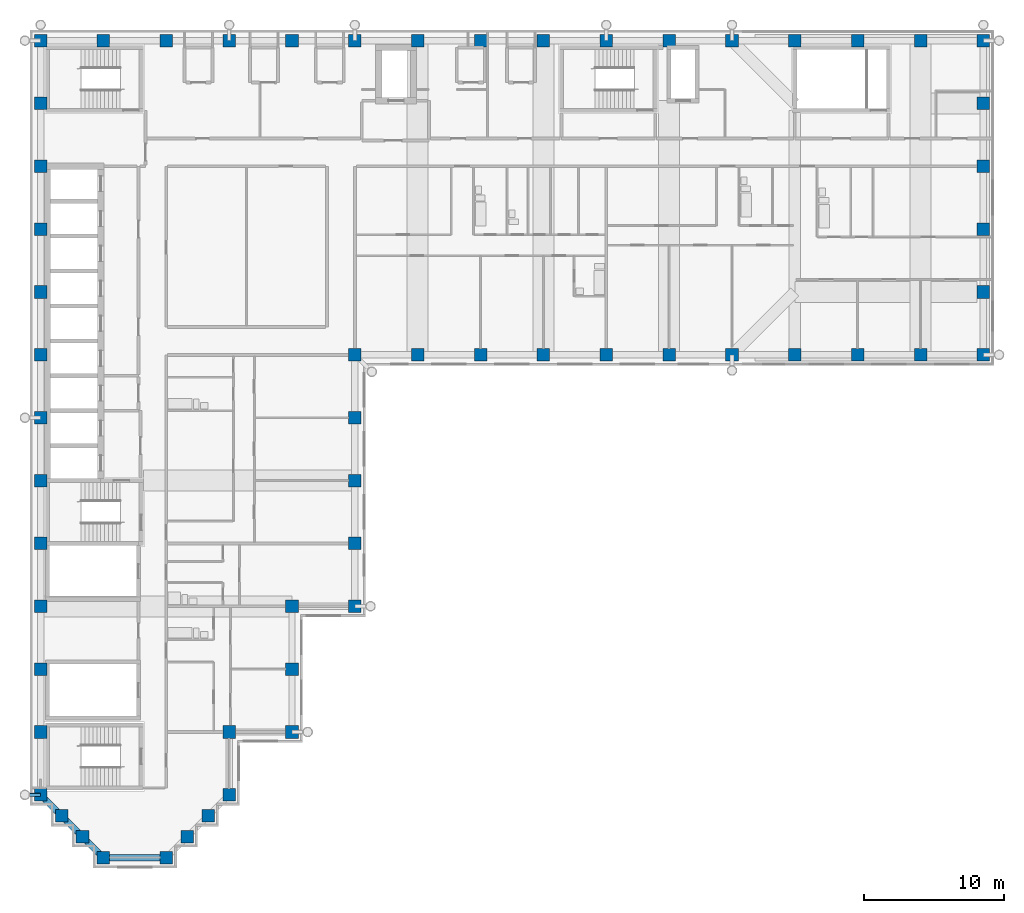
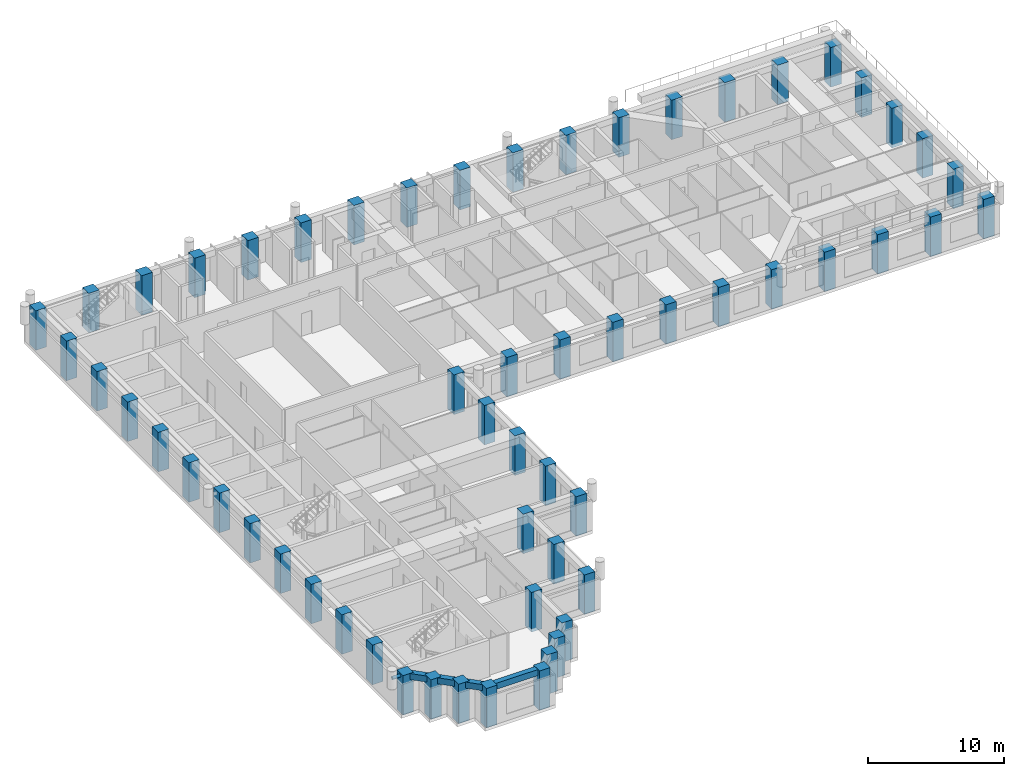
# One storey, part 1 of 14: 58 columns, 4 beams, 1 member.
"""IFC4 building model written with IfcOpenShell, lengths in metres."""

import ifcopenshell
import ifcopenshell.guid

model = None  # the IFC model being written
_history = None  # IfcOwnerHistory: only IFC2X3 demands one
_inside = {}  # id of a spatial element -> (the spatial element, [elements in it])
_under = {}  # id of a project, library or spatial element -> (it, [spatial elements below it])
_declared = {}  # id of a project -> (the project, [libraries it declares])
_typed = {}  # id of a type object -> (the type object, [elements of that type])
_made_of = {}  # id of a material, layer set ... -> (it, [elements and type objects made of it])


def new_model(schema):
    """Start an empty IFC model of exactly this schema.

    Asked for "IFC4X3", IfcOpenShell would pick the latest addendum, in which some entities
    have other attributes; the version numbers below select the first issue.
    IFC2X3 requires an IfcOwnerHistory on every rooted entity: one is made here for all.
    """
    global model, _history
    if schema == "IFC4X3":
        model = ifcopenshell.file(schema_version=(4, 3, 0, 0))
    else:
        model = ifcopenshell.file(schema=schema)
    _inside.clear()
    _under.clear()
    _declared.clear()
    _typed.clear()
    _made_of.clear()
    _history = None
    if model.schema == "IFC2X3":
        org = make("IfcOrganization", Name="unknown")
        user = make(
            "IfcPersonAndOrganization",
            ThePerson=make("IfcPerson", FamilyName="unknown"),
            TheOrganization=org,
        )
        app = make(
            "IfcApplication",
            ApplicationDeveloper=org,
            Version="unknown",
            ApplicationFullName="unknown",
            ApplicationIdentifier="unknown",
        )
        _history = make(
            "IfcOwnerHistory",
            OwningUser=user,
            OwningApplication=app,
            ChangeAction="ADDED",
            CreationDate=0,
        )
    return model


def make(cls, **values):
    """One entity of the class cls with the attributes given. An attribute that is None is left unset."""
    return model.create_entity(
        cls, **{name: value for name, value in values.items() if value is not None}
    )


def rooted(cls, **values):
    """An entity with a GlobalId (a new one), such as an element, a storey or a relation."""
    return make(cls, GlobalId=ifcopenshell.guid.new(), OwnerHistory=_history, **values)


def si_unit(unit_type, name, prefix=None):
    """IfcSIUnit, for example si_unit("LENGTHUNIT", "METRE", prefix="MILLI")."""
    return make("IfcSIUnit", UnitType=unit_type, Prefix=prefix, Name=name)


def assignment(units):
    """IfcUnitAssignment: the units of a project."""
    return None if units is None else make("IfcUnitAssignment", Units=units)


def point(xyz):
    """IfcCartesianPoint."""
    return None if xyz is None else make("IfcCartesianPoint", Coordinates=xyz)


def direction(xyz):
    """IfcDirection."""
    return None if xyz is None else make("IfcDirection", DirectionRatios=xyz)


def frame(location, z_axis=None, x_axis=None):
    """IfcAxis2Placement3D, a coordinate frame: its origin and axes. An axis left out is left unset."""
    return make(
        "IfcAxis2Placement3D",
        Location=point(location),
        Axis=direction(z_axis),
        RefDirection=direction(x_axis),
    )


def frame_2d(location, x_axis=None):
    """IfcAxis2Placement2D, a coordinate frame in the plane: its origin and x axis."""
    return make(
        "IfcAxis2Placement2D", Location=point(location), RefDirection=direction(x_axis)
    )


def origin():
    """The frame at (0, 0, 0) with its axes left unset."""
    return frame((0.0, 0.0, 0.0))


def origin_2d():
    """The frame at (0, 0) in the plane with its x axis left unset."""
    return frame_2d((0.0, 0.0))


def place(relative_to, where):
    """IfcLocalPlacement: puts the frame where relative to a parent placement (None: the world)."""
    return make(
        "IfcLocalPlacement", PlacementRelTo=relative_to, RelativePlacement=where
    )


def context(
    kind, dimensions, precision=None, world=None, true_north=None, identifier=None
):
    """IfcGeometricRepresentationContext, for example the 3D "Model" context."""
    return make(
        "IfcGeometricRepresentationContext",
        ContextIdentifier=identifier,
        ContextType=kind,
        CoordinateSpaceDimension=dimensions,
        Precision=precision,
        WorldCoordinateSystem=world,
        TrueNorth=true_north,
    )


def subcontext(parent, identifier, kind, view, scale=None):
    """IfcGeometricRepresentationSubContext, for example "Body" below "Model"."""
    return make(
        "IfcGeometricRepresentationSubContext",
        ContextIdentifier=identifier,
        ContextType=kind,
        ParentContext=parent,
        TargetScale=scale,
        TargetView=view,
    )


def project(units=None, contexts=None):
    """IfcProject with its units and contexts."""
    return rooted(
        "IfcProject",
        Name="project",
        RepresentationContexts=contexts,
        UnitsInContext=assignment(units),
    )


def spatial(cls, under=None, at=None, **own):
    """A site, building, storey or space (cls), placed at a placement, below another one or the project."""
    s = rooted(cls, ObjectPlacement=at, **own)
    if under is not None:
        _under.setdefault(under.id(), (under, []))[1].append(s)
    return s


def profile(cls, at=None, kind="AREA", **sizes):
    """A parametric profile (cls). Its sizes go by their IFC names, for example OverallWidth=200.0."""
    return make(cls, ProfileType=kind, Position=at, **sizes)


def rectangle(**sizes):
    """IfcRectangleProfileDef."""
    return profile("IfcRectangleProfileDef", **sizes)


def hollow_circle(**sizes):
    """IfcCircleHollowProfileDef."""
    return profile("IfcCircleHollowProfileDef", **sizes)


def extrude(swept, where, along, depth):
    """IfcExtrudedAreaSolid: the profile swept, set in the frame where, extruded along a direction by depth."""
    return make(
        "IfcExtrudedAreaSolid",
        SweptArea=swept,
        Position=where,
        ExtrudedDirection=direction(along),
        Depth=depth,
    )


def shape(context_of_items, identifier, shape_type, items):
    """IfcShapeRepresentation: the items that make up one representation, for example the "Body"."""
    return make(
        "IfcShapeRepresentation",
        ContextOfItems=context_of_items,
        RepresentationIdentifier=identifier,
        RepresentationType=shape_type,
        Items=items,
    )


def material(Name=None, Category=None):
    """IfcMaterial."""
    return make("IfcMaterial", Name=Name, Category=Category)


def material_profile(
    of_material, cross_section, Name=None, Category=None, Priority=None
):
    """IfcMaterialProfile: a cross section and its material."""
    return make(
        "IfcMaterialProfile",
        Name=Name,
        Material=of_material,
        Profile=cross_section,
        Priority=Priority,
        Category=Category,
    )


def profile_set(profiles, Name=None, composite=None):
    """IfcMaterialProfileSet."""
    return make(
        "IfcMaterialProfileSet",
        Name=Name,
        MaterialProfiles=profiles,
        CompositeProfile=composite,
    )


def made_of(thing, what):
    """Note that an element or type object is made of a material, layer set ...; save() writes the relation."""
    if what is not None:
        _made_of.setdefault(what.id(), (what, []))[1].append(thing)
    return thing


def type_object(cls, material=None, **own):
    """A type object (cls), such as IfcWallType, which elements share."""
    return made_of(rooted(cls, **own), material)


def element(
    cls,
    number,
    at=None,
    inside=None,
    cuts=None,
    type_object=None,
    material=None,
    context=None,
    identifier="Body",
    shape_type=None,
    held_by="IfcProductDefinitionShape",
    body=None,
    shapes=None,
    **own,
):
    """One element of the class cls, such as IfcWall. Its Tag is "e" and its number.

    at: its placement. inside: the storey or other place that contains it. cuts: it is an
    opening in that element (IfcRelVoidsElement). A single representation is given by context,
    identifier, shape_type and body (its items); several are given by shapes. held_by: the class
    of the entity that holds the representations. save() writes the other relations.
    """
    e = rooted(cls, Tag="e%d" % number, ObjectPlacement=at, **own)
    if body is not None:
        shapes = [shape(context, identifier, shape_type, body)]
    if shapes is not None:
        e.Representation = make(held_by, Representations=shapes)
    if inside is not None:
        _inside.setdefault(inside.id(), (inside, []))[1].append(e)
    if cuts is not None:
        rooted(
            "IfcRelVoidsElement", RelatingBuildingElement=cuts, RelatedOpeningElement=e
        )
    if type_object is not None:
        _typed.setdefault(type_object.id(), (type_object, []))[1].append(e)
    return made_of(e, material)


def aggregate(whole, parts):
    """IfcRelAggregates: a whole, such as a stair, and the parts it consists of."""
    return rooted("IfcRelAggregates", RelatingObject=whole, RelatedObjects=parts)


def save(model, path):
    """Write the relations noted so far, then the file.

    IfcRelAggregates (storeys below a building ...), IfcRelContainedInSpatialStructure (elements
    in a storey), IfcRelDefinesByType, IfcRelAssociatesMaterial and IfcRelDeclares: one each for
    every whole, place, type object, material and project.
    """
    for whole, parts in _under.values():
        aggregate(whole, parts)
    for where, things in _inside.values():
        rooted(
            "IfcRelContainedInSpatialStructure",
            RelatedElements=things,
            RelatingStructure=where,
        )
    for kind, things in _typed.values():
        rooted("IfcRelDefinesByType", RelatedObjects=things, RelatingType=kind)
    for what, things in _made_of.values():
        rooted("IfcRelAssociatesMaterial", RelatedObjects=things, RelatingMaterial=what)
    for by, libraries in _declared.values():
        rooted("IfcRelDeclares", RelatingContext=by, RelatedDefinitions=libraries)
    model.write(path)


model = new_model("IFC4")

# Units and contexts
model_context = context("Model", 3, precision=1e-05, world=origin(), true_north=direction((0.0, 1.0)))
body_context = subcontext(model_context, "Body", "Model", "MODEL_VIEW")
ifc_project = project(units=[si_unit("LENGTHUNIT", "METRE"), si_unit("AREAUNIT", "SQUARE_METRE"), si_unit("VOLUMEUNIT", "CUBIC_METRE"), si_unit("PLANEANGLEUNIT", "RADIAN"), si_unit("MASSUNIT", "GRAM", prefix="KILO")], contexts=[model_context])

# Site, building, storey
site_placement = place(None, origin())
site = spatial("IfcSite", under=ifc_project, at=site_placement, CompositionType="ELEMENT")
building_placement = place(site_placement, origin())
building = spatial("IfcBuilding", under=site, at=building_placement, Name="Firuza Court", CompositionType="ELEMENT")
storey_placement = place(building_placement, frame((0.0, 0.0, 182.60009765625)))
storey = spatial("IfcBuildingStorey", under=building, at=storey_placement, Name="L46", CompositionType="ELEMENT", Elevation=182.60009765625)

# Columns
ifc_material_1 = material(Name="Concrete C50/60", Category="concrete")
ifc_material_profile_1 = material_profile(ifc_material_1, rectangle(XDim=0.89990234375, YDim=0.89990234375, at=origin_2d()), Name="RC 900x900")
ifc_profile_set_1 = profile_set([ifc_material_profile_1], Name="Concrete C50/60")
column_type = type_object("IfcColumnType", Name="Tube column RC 900x900 C50/60", PredefinedType="COLUMN", material=ifc_profile_set_1)
for number, where, z_axis, x_axis, name in (
    (1, (4.5, 0.0, -0.300048828125), (0.0, 0.0, 1.0), (1.0, 0.0, 0.0), "Column C-2D L46"),
    (2, (9.0, 0.0, -0.300048828125), (0.0, 0.0, 1.0), (1.0, 0.0, 0.0), "Column C-3D L46"),
    (3, (3.0, 1.5, -0.300048828125), (0.0, 0.0, 1.0), (1.0, 0.0, 0.0), "Column C-SA1 L46"),
    (4, (10.5, 1.5, -0.300048828125), (0.0, 0.0, 1.0), (1.0, 0.0, 0.0), "Column C-SA2 L46"),
    (5, (1.5, 3.0, -0.300048828125), (0.0, 0.0, 1.0), (1.0, 0.0, 0.0), "Column C-SA3 L46"),
    (6, (12.0, 3.0, -0.300048828125), (0.0, 0.0, 1.0), (1.0, 0.0, 0.0), "Column C-SA4 L46"),
    (7, (0.0, 4.5, -0.300048828125), (0.0, 0.0, 1.0), (1.0, 0.0, 0.0), "Column C-1E L46"),
    (8, (13.5, 4.5, -0.300048828125), (0.0, 0.0, 1.0), (1.0, 0.0, 0.0), "Column C-4E L46"),
    (9, (0.0, 9.0, -0.300048828125), (0.0, 0.0, 1.0), (1.0, 0.0, 0.0), "Column C-1F L46"),
    (10, (13.5, 9.0, -0.300048828125), (0.0, 0.0, 1.0), (1.0, 0.0, 0.0), "Column C-4F L46"),
    (11, (18.0, 9.0, -0.300048828125), (0.0, 0.0, 1.0), (1.0, 0.0, 0.0), "Column C-5F L46"),
    (12, (0.0, 13.5, -0.300048828125), (0.0, 0.0, 1.0), (1.0, 0.0, 0.0), "Column C-1G L46"),
    (13, (18.0, 13.5, -0.300048828125), (0.0, 0.0, 1.0), (1.0, 0.0, 0.0), "Column C-5G L46"),
    (14, (0.0, 18.0, -0.300048828125), (0.0, 0.0, 1.0), (1.0, 0.0, 0.0), "Column C-1H L46"),
    (15, (18.0, 18.0, -0.300048828125), (0.0, 0.0, 1.0), (1.0, 0.0, 0.0), "Column C-5H L46"),
    (16, (22.5, 18.0, -0.300048828125), (0.0, 0.0, 1.0), (1.0, 0.0, 0.0), "Column C-6H L46"),
    (17, (0.0, 22.5, -0.300048828125), (0.0, 0.0, 1.0), (1.0, 0.0, 0.0), "Column C-1J L46"),
    (18, (22.5, 22.5, -0.300048828125), (0.0, 0.0, 1.0), (1.0, 0.0, 0.0), "Column C-6J L46"),
    (19, (0.0, 27.0, -0.300048828125), (0.0, 0.0, 1.0), (1.0, 0.0, 0.0), "Column C-1K L46"),
    (20, (22.5, 27.0, -0.300048828125), (0.0, 0.0, 1.0), (1.0, 0.0, 0.0), "Column C-6K L46"),
    (21, (0.0, 31.5, -0.300048828125), (0.0, 0.0, 1.0), (1.0, 0.0, 0.0), "Column C-1L L46"),
    (22, (22.5, 31.5, -0.300048828125), (0.0, 0.0, 1.0), (1.0, 0.0, 0.0), "Column C-6L L46"),
    (23, (0.0, 36.0, -0.300048828125), (0.0, 0.0, 1.0), (1.0, 0.0, 0.0), "Column C-1M L46"),
    (24, (22.5, 36.0, -0.300048828125), (0.0, 0.0, 1.0), (1.0, 0.0, 0.0), "Column C-6M L46"),
    (25, (27.0, 36.0, -0.300048828125), (0.0, 0.0, 1.0), (1.0, 0.0, 0.0), "Column C-7M L46"),
    (26, (31.5, 36.0, -0.300048828125), (0.0, 0.0, 1.0), (1.0, 0.0, 0.0), "Column C-8M L46"),
    (27, (36.0, 36.0, -0.300048828125), (0.0, 0.0, 1.0), (1.0, 0.0, 0.0), "Column C-9M L46"),
    (28, (40.5, 36.0, -0.300048828125), (0.0, 0.0, 1.0), (1.0, 0.0, 0.0), "Column C-10M L46"),
    (29, (45.0, 36.0, -0.300048828125), (0.0, 0.0, 1.0), (1.0, 0.0, 0.0), "Column C-11M L46"),
    (30, (49.5, 36.0, -0.300048828125), (0.0, 0.0, 1.0), (1.0, 0.0, 0.0), "Column C-12M L46"),
    (31, (54.0, 36.0, -0.300048828125), (0.0, 0.0, 1.0), (1.0, 0.0, 0.0), "Column C-13M L46"),
    (32, (58.5, 36.0, -0.300048828125), (0.0, 0.0, 1.0), (1.0, 0.0, 0.0), "Column C-14M L46"),
    (33, (63.0, 36.0, -0.300048828125), (0.0, 0.0, 1.0), (1.0, 0.0, 0.0), "Column C-15M L46"),
    (34, (67.5, 36.0, -0.300048828125), (0.0, 0.0, 1.0), (1.0, 0.0, 0.0), "Column C-16M L46"),
    (35, (0.0, 40.5, -0.300048828125), (0.0, 0.0, 1.0), (1.0, 0.0, 0.0), "Column C-1N L46"),
    (36, (67.5, 40.5, -0.300048828125), (0.0, 0.0, 1.0), (1.0, 0.0, 0.0), "Column C-16N L46"),
    (37, (0.0, 45.0, -0.300048828125), (0.0, 0.0, 1.0), (1.0, 0.0, 0.0), "Column C-1P L46"),
    (38, (67.5, 45.0, -0.300048828125), (0.0, 0.0, 1.0), (1.0, 0.0, 0.0), "Column C-16P L46"),
    (39, (0.0, 49.5, -0.300048828125), (0.0, 0.0, 1.0), (1.0, 0.0, 0.0), "Column C-1Q L46"),
    (40, (67.5, 49.5, -0.300048828125), (0.0, 0.0, 1.0), (1.0, 0.0, 0.0), "Column C-16Q L46"),
    (41, (0.0, 54.0, -0.300048828125), (0.0, 0.0, 1.0), (1.0, 0.0, 0.0), "Column C-1R L46"),
    (42, (67.5, 54.0, -0.300048828125), (0.0, 0.0, 1.0), (1.0, 0.0, 0.0), "Column C-16R L46"),
    (43, (0.0, 58.5, -0.300048828125), (0.0, 0.0, 1.0), (1.0, 0.0, 0.0), "Column C-1S L46"),
    (44, (4.5, 58.5, -0.300048828125), (0.0, 0.0, 1.0), (1.0, 0.0, 0.0), "Column C-2S L46"),
    (45, (9.0, 58.5, -0.300048828125), (0.0, 0.0, 1.0), (1.0, 0.0, 0.0), "Column C-3S L46"),
    (46, (13.5, 58.5, -0.300048828125), (0.0, 0.0, 1.0), (1.0, 0.0, 0.0), "Column C-4S L46"),
    (47, (18.0, 58.5, -0.300048828125), (0.0, 0.0, 1.0), (1.0, 0.0, 0.0), "Column C-5S L46"),
    (48, (22.5, 58.5, -0.300048828125), (0.0, 0.0, 1.0), (1.0, 0.0, 0.0), "Column C-6S L46"),
    (49, (27.0, 58.5, -0.300048828125), (0.0, 0.0, 1.0), (1.0, 0.0, 0.0), "Column C-7S L46"),
    (50, (31.5, 58.5, -0.300048828125), (0.0, 0.0, 1.0), (1.0, 0.0, 0.0), "Column C-8S L46"),
    (51, (36.0, 58.5, -0.300048828125), (0.0, 0.0, 1.0), (1.0, 0.0, 0.0), "Column C-9S L46"),
    (52, (40.5, 58.5, -0.300048828125), (0.0, 0.0, 1.0), (1.0, 0.0, 0.0), "Column C-10S L46"),
    (53, (45.0, 58.5, -0.300048828125), (0.0, 0.0, 1.0), (1.0, 0.0, 0.0), "Column C-11S L46"),
    (54, (49.5, 58.5, -0.300048828125), (0.0, 0.0, 1.0), (1.0, 0.0, 0.0), "Column C-12S L46"),
    (55, (54.0, 58.5, -0.300048828125), (0.0, 0.0, 1.0), (1.0, 0.0, 0.0), "Column C-13S L46"),
    (56, (58.5, 58.5, -0.300048828125), (0.0, 0.0, 1.0), (1.0, 0.0, 0.0), "Column C-14S L46"),
    (57, (63.0, 58.5, -0.300048828125), (0.0, 0.0, 1.0), (1.0, 0.0, 0.0), "Column C-15S L46"),
    (58, (67.5, 58.5, -0.300048828125), (0.0, 0.0, 1.0), (1.0, 0.0, 0.0), "Column C-16S L46"),
):
    element("IfcColumn", number, at=place(storey_placement, frame(where, z_axis=z_axis, x_axis=x_axis)), inside=storey, type_object=column_type, Name=name, PredefinedType="COLUMN", context=body_context, shape_type="SweptSolid", body=[
        extrude(rectangle(XDim=0.89990234375, YDim=0.89990234375, at=origin_2d()), origin(), (0.0, 0.0, 1.0), 3.550048828125),
    ])

# Member
ifc_material_2 = material(Name="Steel S355", Category="steel")
ifc_material_profile_2 = material_profile(ifc_material_2, hollow_circle(Radius=0.136474609375, WallThickness=0.012451171875, at=origin_2d()), Name="CHS 273x12.5")
ifc_profile_set_2 = profile_set([ifc_material_profile_2], Name="Steel S355")
member_type = type_object("IfcMemberType", Name="Diagrid tie CHS 273x12.5 S355", PredefinedType="STRUT", material=ifc_profile_set_2)
member_placement = place(storey_placement, frame((0.0, 4.5, 3.0), z_axis=(-1.0, 0.0, 0.0), x_axis=(0.0, -1.0, 0.0)))
element("IfcMember", 59, at=member_placement, inside=storey, type_object=member_type, Name="Diagrid tie level L47", PredefinedType="STRUT", context=body_context, shape_type="SweptSolid", body=[
    extrude(hollow_circle(Radius=0.136474609375, WallThickness=0.012451171875, at=origin_2d()), origin(), (0.0, 0.0, 1.0), 1.1201171875),
])

# Beams
ifc_material_3 = material(Name="Concrete C40/50", Category="concrete")
ifc_material_profile_3 = material_profile(ifc_material_3, rectangle(XDim=0.449951171875, YDim=0.550048828125, at=origin_2d()), Name="RC 450x550")
ifc_profile_set_3 = profile_set([ifc_material_profile_3], Name="Concrete C40/50")
beam_type = type_object("IfcBeamType", Name="Spandrel beam RC 450x550 C40/50", PredefinedType="BEAM", material=ifc_profile_set_3)
for number, where, z_axis, x_axis, name in (
    (60, (0.0, 4.5, 2.974853515625), (0.707106781187, -0.707106781187, 0.0), (0.707106781187, 0.707106781187, 0.0), "Spandrel beam SP16 level L47"),
    (61, (1.5, 3.0, 2.974853515625), (0.707106781187, -0.707106781187, 0.0), (0.707106781187, 0.707106781187, 0.0), "Spandrel beam SP16 level L47"),
    (62, (3.0, 1.5, 2.974853515625), (0.707106781187, -0.707106781187, 0.0), (0.707106781187, 0.707106781187, 0.0), "Spandrel beam SP16 level L47"),
):
    element("IfcBeam", number, at=place(storey_placement, frame(where, z_axis=z_axis, x_axis=x_axis)), inside=storey, type_object=beam_type, Name=name, PredefinedType="BEAM", context=body_context, shape_type="SweptSolid", body=[
        extrude(rectangle(XDim=0.449951171875, YDim=0.550048828125, at=origin_2d()), origin(), (0.0, 0.0, 1.0), 2.121337890625),
    ])
beam_placement = place(storey_placement, frame((4.5, 0.0, 2.974853515625), z_axis=(1.0, 0.0, 0.0), x_axis=(0.0, 1.0, 0.0)))
element("IfcBeam", 63, at=beam_placement, inside=storey, type_object=beam_type, Name="Spandrel beam SP16 level L47", PredefinedType="BEAM", context=body_context, shape_type="SweptSolid", body=[
    extrude(rectangle(XDim=0.449951171875, YDim=0.550048828125, at=origin_2d()), origin(), (0.0, 0.0, 1.0), 4.5),
])

save(model, "model.ifc")
